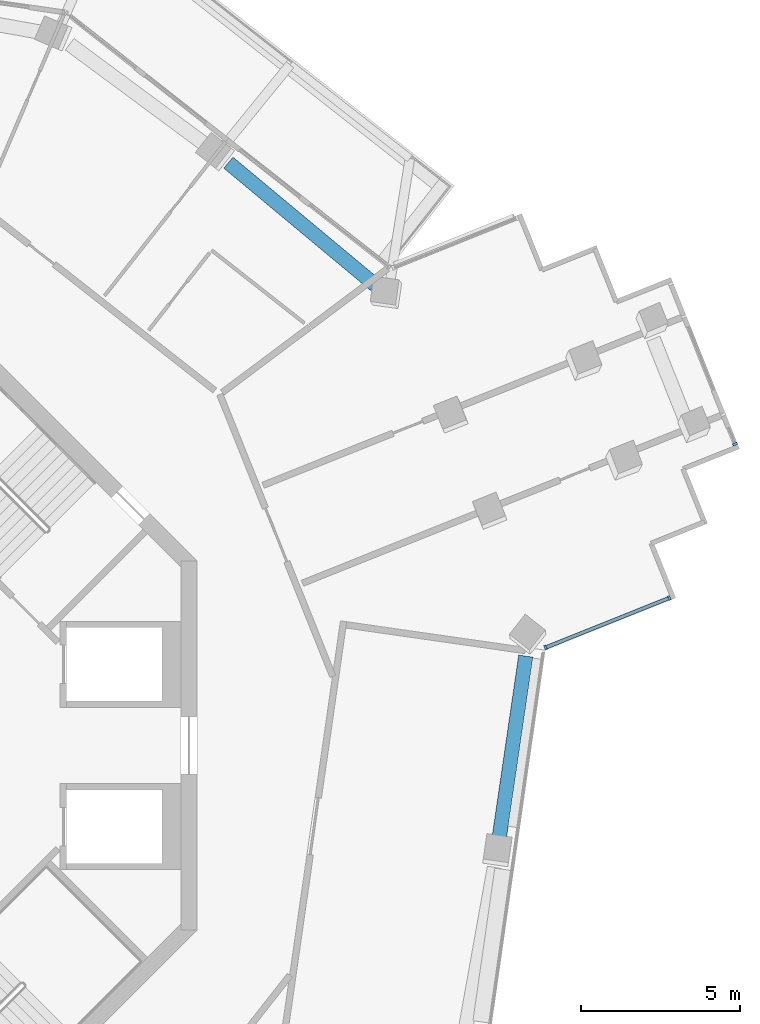
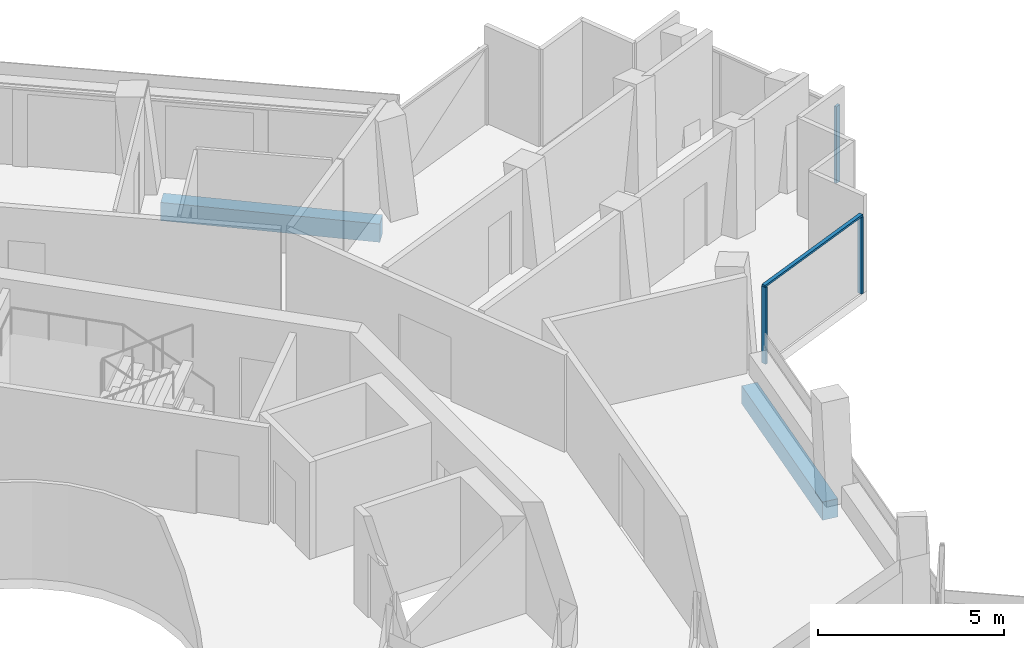
# One storey, part 8 of 23: 4 members, 2 beams, 2 elements without a shape of their own.
"""IFC4 building model written with IfcOpenShell, lengths in metres."""

from ifc_helpers import new_model, si_unit, direction, frame, origin, origin_2d, place, context, subcontext, project, spatial, rectangle, extrude, material, layer, layer_set, material_profile, profile_set, type_object, element, aggregate, save


model = new_model("IFC4")

# Units and contexts
model_context = context("Model", 3, precision=1e-05, world=origin(), true_north=direction((0.0, 1.0)))
body_context = subcontext(model_context, "Body", "Model", "MODEL_VIEW")
ifc_project = project(units=[si_unit("LENGTHUNIT", "METRE"), si_unit("AREAUNIT", "SQUARE_METRE"), si_unit("VOLUMEUNIT", "CUBIC_METRE"), si_unit("PLANEANGLEUNIT", "RADIAN"), si_unit("MASSUNIT", "GRAM", prefix="KILO")], contexts=[model_context])

# Site, building, storey
site_placement = place(None, origin())
site = spatial("IfcSite", under=ifc_project, at=site_placement, CompositionType="ELEMENT")
building_placement = place(site_placement, origin())
building = spatial("IfcBuilding", under=site, at=building_placement, Name="Verdalira Terraces Hotel", CompositionType="ELEMENT")
storey_placement = place(building_placement, frame((0.0, 0.0, 244.5)))
storey = spatial("IfcBuildingStorey", under=building, at=storey_placement, Name="L60", CompositionType="ELEMENT", Elevation=244.5)

# Curtain wall, members
ifc_material_1 = material(Name="Clear glass", Category="glass")
ifc_layer_1 = layer(ifc_material_1, 0.14990234375)
ifc_layer_set_1 = layer_set([ifc_layer_1], Name="CW2 curtain wall")
curtain_wall_type_1 = type_object("IfcCurtainWallType", Name="CW2 curtain wall", PredefinedType="NOTDEFINED", material=ifc_layer_set_1)
curtain_wall_1_placement = place(storey_placement, origin())
curtain_wall_1 = element("IfcCurtainWall", 1, at=curtain_wall_1_placement, inside=storey, type_object=curtain_wall_type_1, Name="CW2 curtain wall L60 edge 28", PredefinedType="NOTDEFINED")
ifc_material_2 = material(Name="Terracotta frame", Category="masonry")
ifc_material_profile_1 = material_profile(ifc_material_2, rectangle(XDim=0.070068, YDim=0.149902, at=origin_2d()), Name="MU 70x150")
ifc_profile_set_1 = profile_set([ifc_material_profile_1], Name="Terracotta frame")
member_type_1 = type_object("IfcMemberType", Name="CW2 mullion 70x150", PredefinedType="MULLION", material=ifc_profile_set_1)
member_1_placement = place(storey_placement, frame((24.939941, 3.07373, 0.0), z_axis=(0.0, 0.0, 1.0), x_axis=(0.928226337, 0.37201595, 0.0)))
member_1 = element("IfcMember", 2, at=member_1_placement, type_object=member_type_1, Name="CW2 mullion", PredefinedType="MULLION", context=body_context, shape_type="SweptSolid", body=[
    extrude(rectangle(XDim=0.070068, YDim=0.149902, at=origin_2d()), origin(), (0.0, 0.0, 1.0), 2.524902),
])
member_2_placement = place(storey_placement, frame((28.830078, 4.632812, 0.0), z_axis=(0.0, 0.0, 1.0), x_axis=(0.928226337, 0.37201595, 0.0)))
member_2 = element("IfcMember", 3, at=member_2_placement, type_object=member_type_1, Name="CW2 mullion", PredefinedType="MULLION", context=body_context, shape_type="SweptSolid", body=[
    extrude(rectangle(XDim=0.070068, YDim=0.149902, at=origin_2d()), origin(), (0.0, 0.0, 1.0), 2.524902),
])
ifc_material_3 = material(Name="Terracotta frame", Category="masonry")
ifc_material_profile_2 = material_profile(ifc_material_3, rectangle(XDim=0.11499, YDim=0.064941, at=origin_2d()), Name="TR 65x115")
ifc_profile_set_2 = profile_set([ifc_material_profile_2], Name="Terracotta frame")
member_type_2 = type_object("IfcMemberType", Name="CW2 transom 65x115", PredefinedType="USERDEFINED", material=ifc_profile_set_2)
member_3_placement = place(storey_placement, frame((24.907471, 3.060547, 2.557617), z_axis=(0.928219618, 0.372032715, 0.0), x_axis=(-0.372032715, 0.928219618, 0.0)))
member_3 = element("IfcMember", 4, at=member_3_placement, type_object=member_type_2, Name="CW2 transom", ObjectType="TRANSOM", PredefinedType="USERDEFINED", context=body_context, shape_type="SweptSolid", body=[
    extrude(rectangle(XDim=0.11499, YDim=0.064941, at=origin_2d()), origin(), (0.0, 0.0, 1.0), 4.260986),
])
aggregate(curtain_wall_1, [member_1, member_2, member_3])

# Curtain wall, member
ifc_material_4 = material(Name="Clear glass", Category="glass")
ifc_layer_2 = layer(ifc_material_4, 0.14990234375)
ifc_layer_set_2 = layer_set([ifc_layer_2], Name="CW3 curtain wall")
curtain_wall_type_2 = type_object("IfcCurtainWallType", Name="CW3 curtain wall", PredefinedType="NOTDEFINED", material=ifc_layer_set_2)
curtain_wall_2_placement = place(storey_placement, origin())
curtain_wall_2 = element("IfcCurtainWall", 5, at=curtain_wall_2_placement, inside=storey, type_object=curtain_wall_type_2, Name="CW3 curtain wall L60 edge 33", PredefinedType="NOTDEFINED")
ifc_material_5 = material(Name="Terracotta frame", Category="masonry")
ifc_material_profile_3 = material_profile(ifc_material_5, rectangle(XDim=0.080078, YDim=0.149902, at=origin_2d()), Name="MU 80x150")
ifc_profile_set_3 = profile_set([ifc_material_profile_3], Name="Terracotta frame")
member_type_3 = type_object("IfcMemberType", Name="CW3 mullion 80x150", PredefinedType="MULLION", material=ifc_profile_set_3)
member_4_placement = place(storey_placement, frame((30.891602, 9.461182, 0.0), z_axis=(0.0, 0.0, 1.0), x_axis=(-0.37201595, 0.928226337, 0.0)))
member_4 = element("IfcMember", 6, at=member_4_placement, type_object=member_type_3, Name="CW3 mullion", PredefinedType="MULLION", context=body_context, shape_type="SweptSolid", body=[
    extrude(rectangle(XDim=0.080078, YDim=0.149902, at=origin_2d()), origin(), (0.0, 0.0, 1.0), 2.524902),
])
aggregate(curtain_wall_2, [member_4])

# Beams
ifc_material_6 = material(Name="Concrete C40", Category="concrete")
ifc_material_profile_4 = material_profile(ifc_material_6, rectangle(XDim=0.449951, YDim=0.600098, at=origin_2d()), Name="RC 450X600")
ifc_profile_set_4 = profile_set([ifc_material_profile_4], Name="Concrete C40")
beam_type = type_object("IfcBeamType", Name="Spandrel beam RC 450X600 C40", PredefinedType="SPANDREL", material=ifc_profile_set_4)
beam_1_placement = place(storey_placement, frame((23.467285, -3.025146, -0.610107), z_axis=(0.144808084, 0.989459761, 0.0), x_axis=(-0.989459761, 0.144808084, 0.0)))
element("IfcBeam", 7, at=beam_1_placement, inside=storey, type_object=beam_type, Name="Spandrel beam B16", PredefinedType="SPANDREL", context=body_context, shape_type="SweptSolid", body=[
    extrude(rectangle(XDim=0.449951, YDim=0.600098, at=origin_2d()), origin(), (0.0, 0.0, 1.0), 5.892334),
])
beam_2_placement = place(storey_placement, frame((19.591064, 14.45874, -0.610107), z_axis=(-0.768157902, 0.640260445, 0.0), x_axis=(-0.640260445, -0.768157902, 0.0)))
element("IfcBeam", 8, at=beam_2_placement, inside=storey, type_object=beam_type, Name="Spandrel beam B18", PredefinedType="SPANDREL", context=body_context, shape_type="SweptSolid", body=[
    extrude(rectangle(XDim=0.449951, YDim=0.600098, at=origin_2d()), origin(), (0.0, 0.0, 1.0), 5.999512),
])

save(model, "model.ifc")
